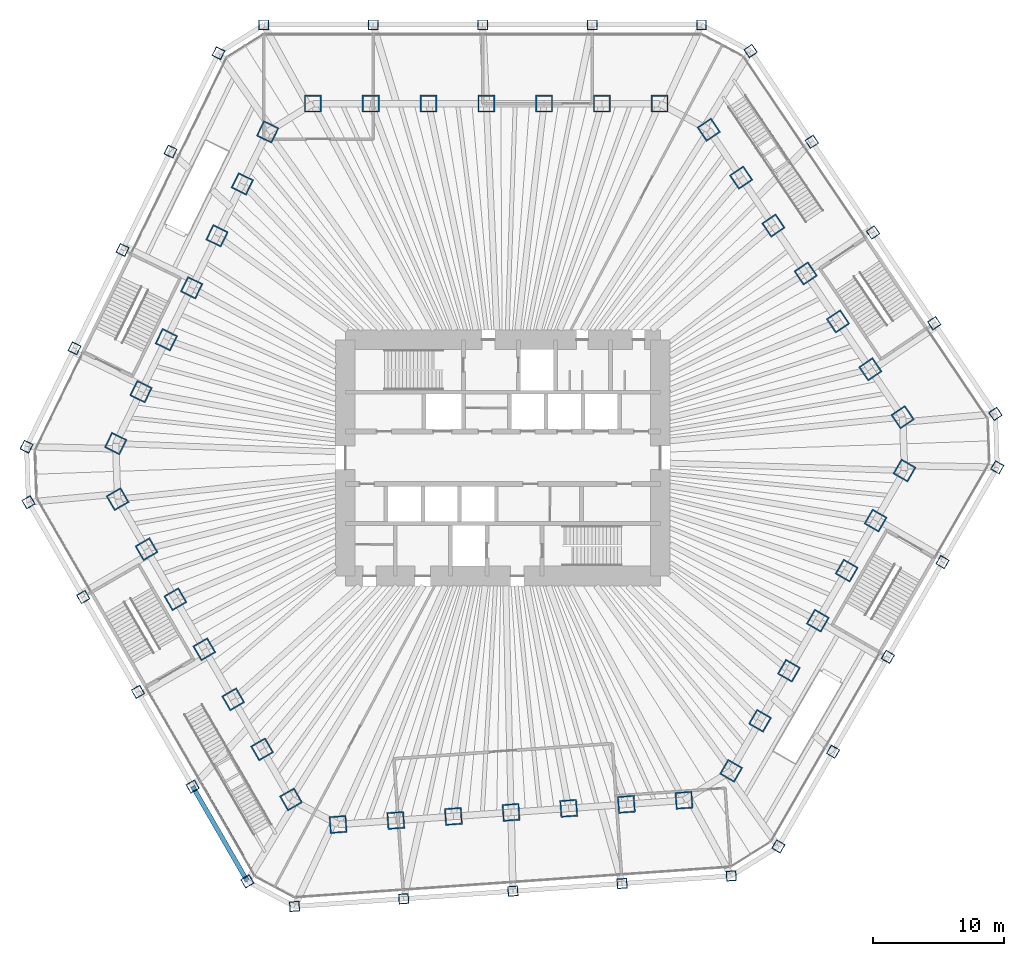
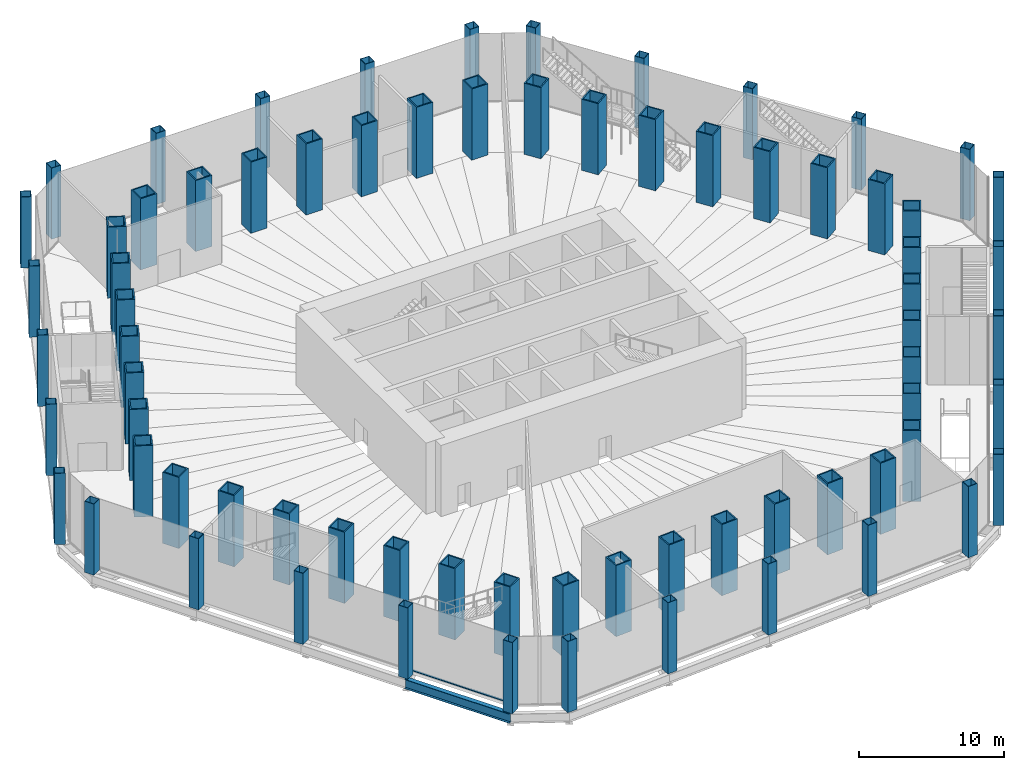
# One storey, part 1 of 23: 72 columns, 1 beam, 1 member, 1 element without a shape of its own.
"""IFC4 building model written with IfcOpenShell, lengths in metres."""

from ifc_helpers import new_model, si_unit, direction, frame, origin, origin_2d, place, context, subcontext, project, spatial, rectangle, hollow_rectangle, i_section, extrude, material, material_profile, profile_set, type_object, element, aggregate, save


model = new_model("IFC4")

# Units and contexts
model_context = context("Model", 3, precision=1e-05, world=origin(), true_north=direction((0.0, 1.0)))
body_context = subcontext(model_context, "Body", "Model", "MODEL_VIEW")
ifc_project = project(units=[si_unit("LENGTHUNIT", "METRE"), si_unit("AREAUNIT", "SQUARE_METRE"), si_unit("VOLUMEUNIT", "CUBIC_METRE"), si_unit("PLANEANGLEUNIT", "RADIAN"), si_unit("MASSUNIT", "GRAM", prefix="KILO")], contexts=[model_context])

# Site, building, storey
site_placement = place(None, origin())
site = spatial("IfcSite", under=ifc_project, at=site_placement, CompositionType="ELEMENT")
building_placement = place(site_placement, origin())
building = spatial("IfcBuilding", under=site, at=building_placement, Name="Qingtian Harvest Tower", CompositionType="ELEMENT")
storey_placement = place(building_placement, frame((0.0, 0.0, 6.0)))
storey = spatial("IfcBuildingStorey", under=building, at=storey_placement, Name="L01", CompositionType="ELEMENT", Elevation=6.0)

# Columns
ifc_material_1 = material(Name="Steel SM570MC", Category="steel")
ifc_material_profile_1 = material_profile(ifc_material_1, hollow_rectangle(XDim=0.75, YDim=0.75, WallThickness=0.035888671875, at=origin_2d()), Name="BOX750x750x36")
ifc_profile_set_1 = profile_set([ifc_material_profile_1], Name="Steel SM570MC")
column_type_1 = type_object("IfcColumnType", Name="Podium column PC1 BOX750x750x36", PredefinedType="COLUMN", material=ifc_profile_set_1)
for number, where, z_axis, x_axis, name in (
    (1, (-18.220703125, 33.0, 0.0), (0.0, 0.0, 1.0), (-1.0, 0.0, 0.0), "Podium column PC1 N0"),
    (2, (-9.87890625, 33.0, 0.0), (0.0, 0.0, 1.0), (-1.0, 0.0, 0.0), "Podium column PC1 N1"),
    (3, (-1.537109375, 33.0, 0.0), (0.0, 0.0, 1.0), (-1.0, 0.0, 0.0), "Podium column PC1 N2"),
    (4, (6.8046875, 33.0, 0.0), (0.0, 0.0, 1.0), (-1.0, 0.0, 0.0), "Podium column PC1 N3"),
    (5, (18.888427734375, 31.01025390625, 0.0), (0.0, 0.0, 1.0), (-0.559192903471, 0.829037572555, 0.0), "Podium column PC1 NE0"),
    (6, (23.55322265625, 24.0947265625, 0.0), (0.0, 0.0, 1.0), (-0.559192903471, 0.829037572555, 0.0), "Podium column PC1 NE1"),
    (7, (28.2177734375, 17.178955078125, 0.0), (0.0, 0.0, 1.0), (-0.559192903471, 0.829037572555, 0.0), "Podium column PC1 NE2"),
    (8, (32.882568359375, 10.263427734375, 0.0), (0.0, 0.0, 1.0), (-0.559192903471, 0.829037572555, 0.0), "Podium column PC1 NE3"),
    (9, (37.689208984375, -0.720458984375, 0.0), (0.0, 0.0, 1.0), (0.5, 0.866025403784, 0.0), "Podium column PC1 SE0"),
    (10, (33.518310546875, -7.944580078125, 0.0), (0.0, 0.0, 1.0), (0.5, 0.866025403784, 0.0), "Podium column PC1 SE1"),
    (11, (29.347412109375, -15.168701171875, 0.0), (0.0, 0.0, 1.0), (0.5, 0.866025403784, 0.0), "Podium column PC1 SE2"),
    (12, (25.176513671875, -22.39306640625, 0.0), (0.0, 0.0, 1.0), (0.5, 0.866025403784, 0.0), "Podium column PC1 SE3"),
    (13, (17.411376953125, -31.863037109375, 0.0), (0.0, 0.0, 1.0), (0.99756405026, 0.069756473744, 0.0), "Podium column PC1 S0"),
    (14, (9.090087890625, -32.44482421875, 0.0), (0.0, 0.0, 1.0), (0.99756405026, 0.069756473744, 0.0), "Podium column PC1 S1"),
    (15, (0.7685546875, -33.02685546875, 0.0), (0.0, 0.0, 1.0), (0.99756405026, 0.069756473744, 0.0), "Podium column PC1 S2"),
    (16, (-7.552978515625, -33.608642578125, 0.0), (0.0, 0.0, 1.0), (0.99756405026, 0.069756473744, 0.0), "Podium column PC1 S3"),
    (17, (-19.468505859375, -32.279541015625, 0.0), (0.0, 0.0, 1.0), (0.5, -0.866025403784, 0.0), "Podium column PC1 SW0"),
    (18, (-23.639404296875, -25.055419921875, 0.0), (0.0, 0.0, 1.0), (0.5, -0.866025403784, 0.0), "Podium column PC1 SW1"),
    (19, (-27.810302734375, -17.831298828125, 0.0), (0.0, 0.0, 1.0), (0.5, -0.866025403784, 0.0), "Podium column PC1 SW2"),
    (20, (-31.981201171875, -10.60693359375, 0.0), (0.0, 0.0, 1.0), (0.5, -0.866025403784, 0.0), "Podium column PC1 SW3"),
    (21, (-36.300048828125, 0.852783203125, 0.0), (0.0, 0.0, 1.0), (-0.438371146789, -0.898794046299, 0.0), "Podium column PC1 NW0"),
    (22, (-32.64306640625, 8.350341796875, 0.0), (0.0, 0.0, 1.0), (-0.438371146789, -0.898794046299, 0.0), "Podium column PC1 NW1"),
    (23, (-28.986328125, 15.847900390625, 0.0), (0.0, 0.0, 1.0), (-0.438371146789, -0.898794046299, 0.0), "Podium column PC1 NW2"),
    (24, (-25.32958984375, 23.345458984375, 0.0), (0.0, 0.0, 1.0), (-0.438371146789, -0.898794046299, 0.0), "Podium column PC1 NW3"),
    (25, (15.146484375, 33.0, 0.0), (0.0, 0.0, 1.0), (-1.0, 0.0, 0.0), "Podium column PC1 N4"),
    (26, (37.547119140625, 3.34765625, 0.0), (0.0, 0.0, 1.0), (-0.559192903471, 0.829037572555, 0.0), "Podium column PC1 NE4"),
    (27, (21.005615234375, -29.6171875, 0.0), (0.0, 0.0, 1.0), (0.5, 0.866025403784, 0.0), "Podium column PC1 SE4"),
    (28, (-15.874267578125, -34.190673828125, 0.0), (0.0, 0.0, 1.0), (0.99756405026, 0.069756473744, 0.0), "Podium column PC1 S4"),
    (29, (-36.152099609375, -3.3828125, 0.0), (0.0, 0.0, 1.0), (0.5, -0.866025403784, 0.0), "Podium column PC1 SW4"),
    (30, (-21.6728515625, 30.8427734375, 0.0), (0.0, 0.0, 1.0), (-0.438371146789, -0.898794046299, 0.0), "Podium column PC1 NW4"),
):
    element("IfcColumn", number, at=place(storey_placement, frame(where, z_axis=z_axis, x_axis=x_axis)), inside=storey, type_object=column_type_1, Name=name, PredefinedType="COLUMN", context=body_context, shape_type="SweptSolid", body=[
        extrude(hollow_rectangle(XDim=0.75, YDim=0.75, WallThickness=0.035888671875, at=origin_2d()), origin(), (0.0, 0.0, 1.0), 6.0),
    ])
ifc_material_2 = material(Name="Steel SM570MC", Category="steel")
ifc_material_profile_2 = material_profile(ifc_material_2, hollow_rectangle(XDim=1.300048828125, YDim=1.300048828125, WallThickness=0.10009765625, at=origin_2d()), Name="BOX1300x1300x100")
ifc_profile_set_2 = profile_set([ifc_material_profile_2], Name="Steel SM570MC")
column_type_2 = type_object("IfcColumnType", Name="Tube column TC1 BOX1300x1300x100", PredefinedType="COLUMN", material=ifc_profile_set_2)
for number, where, z_axis, x_axis, name in (
    (31, (-14.471435546875, 27.0, 0.0), (0.0, 0.0, 1.0), (-1.0, 0.0, 0.0), "Tube column TC1 N0"),
    (32, (-10.06689453125, 27.0, 0.0), (0.0, 0.0, 1.0), (-1.0, 0.0, 0.0), "Tube column TC1 N1"),
    (33, (-5.662353515625, 27.0, 0.0), (0.0, 0.0, 1.0), (-1.0, 0.0, 0.0), "Tube column TC1 N2"),
    (34, (-1.257568359375, 27.0, 0.0), (0.0, 0.0, 1.0), (-1.0, 0.0, 0.0), "Tube column TC1 N3"),
    (35, (3.14697265625, 27.0, 0.0), (0.0, 0.0, 1.0), (-1.0, 0.0, 0.0), "Tube column TC1 N4"),
    (36, (7.551513671875, 27.0, 0.0), (0.0, 0.0, 1.0), (-1.0, 0.0, 0.0), "Tube column TC1 N5"),
    (37, (11.9560546875, 27.0, 0.0), (0.0, 0.0, 1.0), (-1.0, 0.0, 0.0), "Tube column TC1 N6"),
    (38, (15.6982421875, 25.01025390625, 0.0), (0.0, 0.0, 1.0), (-0.559192903471, 0.829037572555, 0.0), "Tube column TC1 NE0"),
    (39, (18.1611328125, 21.358642578125, 0.0), (0.0, 0.0, 1.0), (-0.559192903471, 0.829037572555, 0.0), "Tube column TC1 NE1"),
    (40, (20.624267578125, 17.70703125, 0.0), (0.0, 0.0, 1.0), (-0.559192903471, 0.829037572555, 0.0), "Tube column TC1 NE2"),
    (41, (23.08740234375, 14.0556640625, 0.0), (0.0, 0.0, 1.0), (-0.559192903471, 0.829037572555, 0.0), "Tube column TC1 NE3"),
    (42, (25.55029296875, 10.404052734375, 0.0), (0.0, 0.0, 1.0), (-0.559192903471, 0.829037572555, 0.0), "Tube column TC1 NE4"),
    (43, (28.013427734375, 6.75244140625, 0.0), (0.0, 0.0, 1.0), (-0.559192903471, 0.829037572555, 0.0), "Tube column TC1 NE5"),
    (44, (30.476318359375, 3.100830078125, 0.0), (0.0, 0.0, 1.0), (-0.559192903471, 0.829037572555, 0.0), "Tube column TC1 NE6"),
    (45, (30.618408203125, -0.96728515625, 0.0), (0.0, 0.0, 1.0), (0.5, 0.866025403784, 0.0), "Tube column TC1 SE0"),
    (46, (28.416015625, -4.78173828125, 0.0), (0.0, 0.0, 1.0), (0.5, 0.866025403784, 0.0), "Tube column TC1 SE1"),
    (47, (26.2138671875, -8.596435546875, 0.0), (0.0, 0.0, 1.0), (0.5, 0.866025403784, 0.0), "Tube column TC1 SE2"),
    (48, (24.011474609375, -12.410888671875, 0.0), (0.0, 0.0, 1.0), (0.5, 0.866025403784, 0.0), "Tube column TC1 SE3"),
    (49, (21.809326171875, -16.225341796875, 0.0), (0.0, 0.0, 1.0), (0.5, 0.866025403784, 0.0), "Tube column TC1 SE4"),
    (50, (19.60693359375, -20.039794921875, 0.0), (0.0, 0.0, 1.0), (0.5, 0.866025403784, 0.0), "Tube column TC1 SE5"),
    (51, (17.404541015625, -23.854248046875, 0.0), (0.0, 0.0, 1.0), (0.5, 0.866025403784, 0.0), "Tube column TC1 SE6"),
    (52, (13.810546875, -26.10009765625, 0.0), (0.0, 0.0, 1.0), (0.99756405026, 0.069756473744, 0.0), "Tube column TC1 S0"),
    (53, (9.41650390625, -26.407470703125, 0.0), (0.0, 0.0, 1.0), (0.99756405026, 0.069756473744, 0.0), "Tube column TC1 S1"),
    (54, (5.022705078125, -26.714599609375, 0.0), (0.0, 0.0, 1.0), (0.99756405026, 0.069756473744, 0.0), "Tube column TC1 S2"),
    (55, (0.62890625, -27.02197265625, 0.0), (0.0, 0.0, 1.0), (0.99756405026, 0.069756473744, 0.0), "Tube column TC1 S3"),
    (56, (-3.76513671875, -27.3291015625, 0.0), (0.0, 0.0, 1.0), (0.99756405026, 0.069756473744, 0.0), "Tube column TC1 S4"),
    (57, (-8.158935546875, -27.636474609375, 0.0), (0.0, 0.0, 1.0), (0.99756405026, 0.069756473744, 0.0), "Tube column TC1 S5"),
    (58, (-12.552734375, -27.943603515625, 0.0), (0.0, 0.0, 1.0), (0.99756405026, 0.069756473744, 0.0), "Tube column TC1 S6"),
    (59, (-16.14697265625, -26.03271484375, 0.0), (0.0, 0.0, 1.0), (0.5, -0.866025403784, 0.0), "Tube column TC1 SW0"),
    (60, (-18.349365234375, -22.21826171875, 0.0), (0.0, 0.0, 1.0), (0.5, -0.866025403784, 0.0), "Tube column TC1 SW1"),
    (61, (-20.551513671875, -18.403564453125, 0.0), (0.0, 0.0, 1.0), (0.5, -0.866025403784, 0.0), "Tube column TC1 SW2"),
    (62, (-22.75390625, -14.589111328125, 0.0), (0.0, 0.0, 1.0), (0.5, -0.866025403784, 0.0), "Tube column TC1 SW3"),
    (63, (-24.9560546875, -10.774658203125, 0.0), (0.0, 0.0, 1.0), (0.5, -0.866025403784, 0.0), "Tube column TC1 SW4"),
    (64, (-27.158447265625, -6.960205078125, 0.0), (0.0, 0.0, 1.0), (0.5, -0.866025403784, 0.0), "Tube column TC1 SW5"),
    (65, (-29.36083984375, -3.145751953125, 0.0), (0.0, 0.0, 1.0), (0.5, -0.866025403784, 0.0), "Tube column TC1 SW6"),
    (66, (-29.5087890625, 1.08984375, 0.0), (0.0, 0.0, 1.0), (-0.438371146789, -0.898794046299, 0.0), "Tube column TC1 NW0"),
    (67, (-27.577880859375, 5.048828125, 0.0), (0.0, 0.0, 1.0), (-0.438371146789, -0.898794046299, 0.0), "Tube column TC1 NW1"),
    (68, (-25.64697265625, 9.007568359375, 0.0), (0.0, 0.0, 1.0), (-0.438371146789, -0.898794046299, 0.0), "Tube column TC1 NW2"),
    (69, (-23.716064453125, 12.96630859375, 0.0), (0.0, 0.0, 1.0), (-0.438371146789, -0.898794046299, 0.0), "Tube column TC1 NW3"),
    (70, (-21.78515625, 16.92529296875, 0.0), (0.0, 0.0, 1.0), (-0.438371146789, -0.898794046299, 0.0), "Tube column TC1 NW4"),
    (71, (-19.8544921875, 20.884033203125, 0.0), (0.0, 0.0, 1.0), (-0.438371146789, -0.898794046299, 0.0), "Tube column TC1 NW5"),
    (72, (-17.923583984375, 24.8427734375, 0.0), (0.0, 0.0, 1.0), (-0.438371146789, -0.898794046299, 0.0), "Tube column TC1 NW6"),
):
    element("IfcColumn", number, at=place(storey_placement, frame(where, z_axis=z_axis, x_axis=x_axis)), inside=storey, type_object=column_type_2, Name=name, PredefinedType="COLUMN", context=body_context, shape_type="SweptSolid", body=[
        extrude(hollow_rectangle(XDim=1.300048828125, YDim=1.300048828125, WallThickness=0.10009765625, at=origin_2d()), origin(), (0.0, 0.0, 1.0), 6.0),
    ])

# Beam
ifc_material_3 = material(Name="Steel SN490B", Category="steel")
ifc_material_profile_3 = material_profile(ifc_material_3, i_section(OverallWidth=0.35009765625, OverallDepth=0.800048828125, WebThickness=0.01611328125, FlangeThickness=0.028076171875, at=origin_2d()), Name="H800x350x16x28")
ifc_profile_set_3 = profile_set([ifc_material_profile_3], Name="Steel SN490B")
beam_type = type_object("IfcBeamType", Name="Podium beam PB1 H800x350x16x28", PredefinedType="BEAM", material=ifc_profile_set_3)
beam_placement = place(storey_placement, frame((-19.468505859375, -32.279541015625, -0.64990234375), z_axis=(-0.500004511595, 0.866022798998, 0.0), x_axis=(-0.866022798998, -0.500004511595, 0.0)))
element("IfcBeam", 73, at=beam_placement, inside=storey, type_object=beam_type, Name="Podium edge beam PB1 SW0", PredefinedType="BEAM", context=body_context, shape_type="SweptSolid", body=[
    extrude(i_section(OverallWidth=0.35009765625, OverallDepth=0.800048828125, WebThickness=0.01611328125, FlangeThickness=0.028076171875, at=origin_2d()), origin(), (0.0, 0.0, 1.0), 8.341796875),
])

# Curtain wall, member
ifc_material_4 = material(Name="Bronze-anodised aluminium curtain wall", Category="aluminium")
curtain_wall_type = type_object("IfcCurtainWallType", Name="Curtain wall CW1 podium shopfront", PredefinedType="USERDEFINED", material=ifc_material_4)
curtain_wall_placement = place(storey_placement, origin())
curtain_wall = element("IfcCurtainWall", 74, at=curtain_wall_placement, inside=storey, type_object=curtain_wall_type, Name="Curtain wall CW1 L01 SW0-1", ObjectType="RECESSED CURTAIN WALL", PredefinedType="USERDEFINED")
ifc_material_5 = material(Name="Bronze-anodised aluminium transom", Category="aluminium")
ifc_material_profile_4 = material_profile(ifc_material_5, rectangle(XDim=0.14990234375, YDim=0.06494140625, at=origin_2d()), Name="AL 65x150")
ifc_profile_set_4 = profile_set([ifc_material_profile_4], Name="Bronze-anodised aluminium transom")
member_type = type_object("IfcMemberType", Name="Transom CWT 65x150", PredefinedType="USERDEFINED", material=ifc_profile_set_4)
member_placement = place(storey_placement, frame((-18.894775390625, -31.873291015625, 0.032470703125), z_axis=(-0.499999305434, 0.866025804792, 0.0), x_axis=(-0.866025804792, -0.499999305434, 0.0)))
member = element("IfcMember", 75, at=member_placement, type_object=member_type, Name="CW1 transom 1.1", ObjectType="TRANSOM", PredefinedType="USERDEFINED", context=body_context, shape_type="SweptSolid", body=[
    extrude(rectangle(XDim=0.14990234375, YDim=0.06494140625, at=origin_2d()), origin(), (0.0, 0.0, 1.0), 8.244140625),
])
aggregate(curtain_wall, [member])

save(model, "model.ifc")
